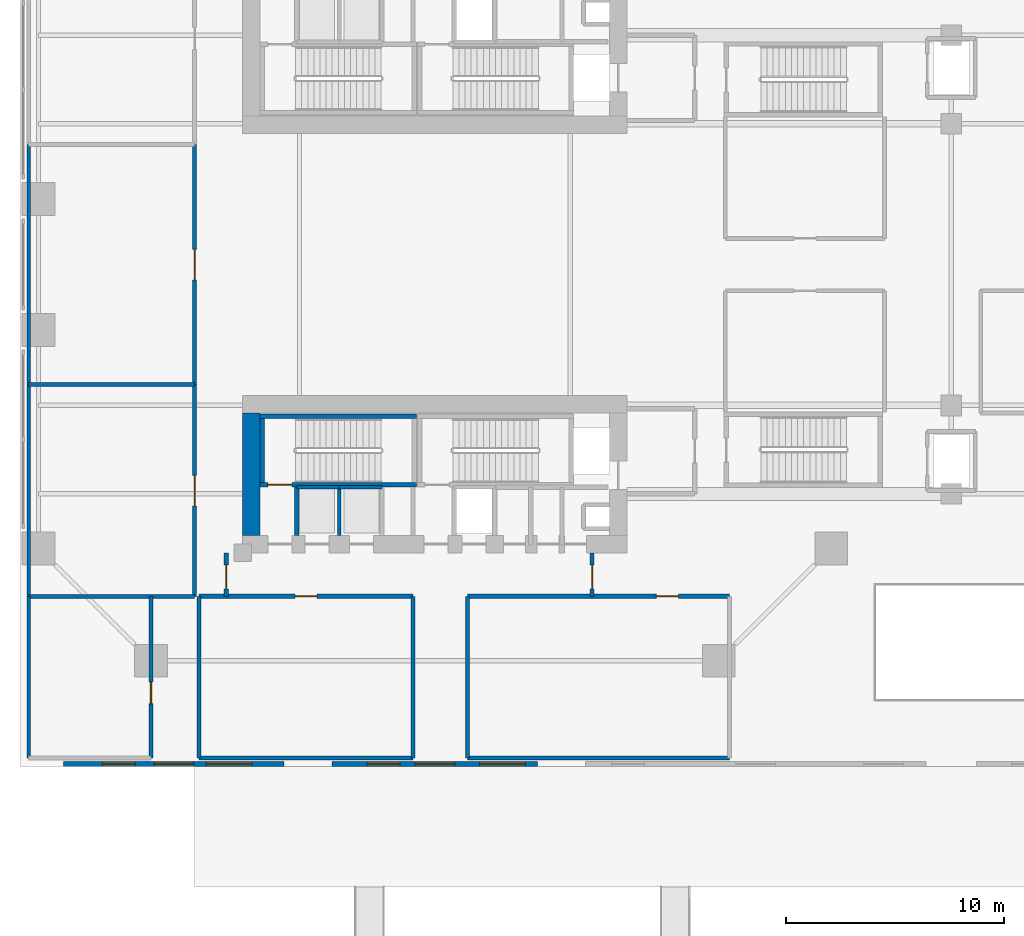
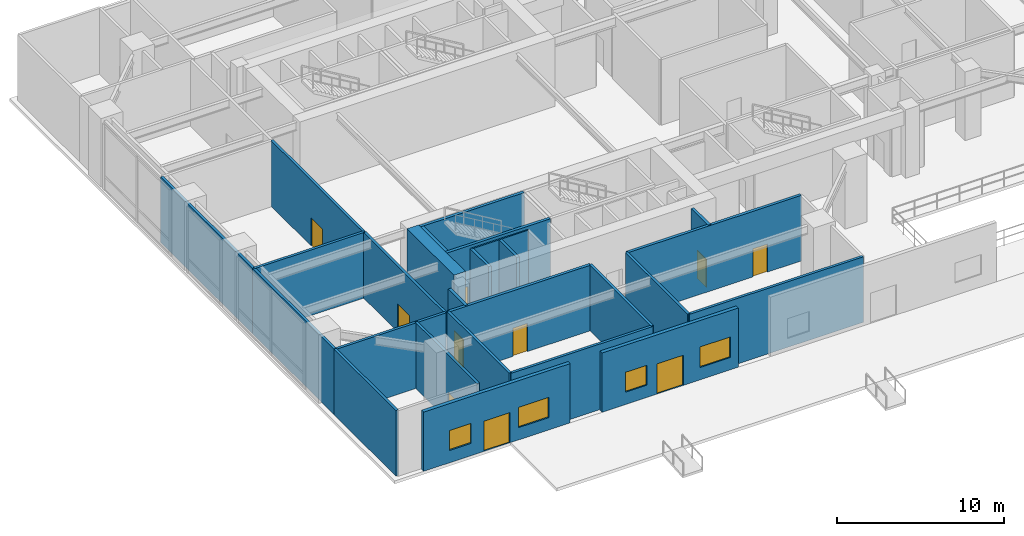
# One storey, part 7 of 18: 27 walls, 10 doors, 4 windows, 14 openings.
"""IFC4 building model written with IfcOpenShell, lengths in metres."""

from ifc_helpers import new_model, si_unit, direction, frame, frame_2d, origin, place, context, subcontext, project, spatial, rectangle, extrude, source, transform, mapped, material, layer, layer_set, type_object, element, fill, save


model = new_model("IFC4")

# Units and contexts
model_context = context("Model", 3, precision=1e-05, world=origin(), true_north=direction((0.0, 1.0)))
body_context = subcontext(model_context, "Body", "Model", "MODEL_VIEW")
ifc_project = project(units=[si_unit("LENGTHUNIT", "METRE"), si_unit("AREAUNIT", "SQUARE_METRE"), si_unit("VOLUMEUNIT", "CUBIC_METRE"), si_unit("PLANEANGLEUNIT", "RADIAN"), si_unit("MASSUNIT", "GRAM", prefix="KILO"), si_unit("THERMODYNAMICTEMPERATUREUNIT", "KELVIN"), si_unit("POWERUNIT", "WATT")], contexts=[model_context])

# Site, building, storey
site_placement = place(None, origin())
site = spatial("IfcSite", under=ifc_project, at=site_placement, CompositionType="ELEMENT")
building_placement = place(site_placement, origin())
building = spatial("IfcBuilding", under=site, at=building_placement, Name="Qiaomeng Ring Towers", CompositionType="ELEMENT")
storey_placement = place(building_placement, origin())
storey = spatial("IfcBuildingStorey", under=building, at=storey_placement, Name="L00", CompositionType="ELEMENT", Elevation=0.0)

# Wall, openings, door, windows
ifc_material_1 = material(Name="Precast concrete C40", Category="concrete")
ifc_layer_1 = layer(ifc_material_1, 0.25, Name="Precast concrete C40")
ifc_layer_set_1 = layer_set([ifc_layer_1], Name="Precast concrete C40")
wall_type_1 = type_object("IfcWallType", Name="ARC-WL-EW1", PredefinedType="STANDARD", material=ifc_layer_set_1)
wall_1_placement = place(storey_placement, frame((2.0, 0.125, 0.0), z_axis=(0.0, 0.0, 1.0), x_axis=(1.0, 0.0, 0.0)))
wall_1 = element("IfcWall", 1, at=wall_1_placement, inside=storey, type_object=wall_type_1, Name="L00 South Facade Wall S1", PredefinedType="STANDARD", context=body_context, shape_type="SweptSolid", body=[
    extrude(rectangle(XDim=10.10009765625, YDim=0.25, at=frame_2d((5.050048828125, 0.0))), origin(), (0.0, 0.0, 1.0), 4.320068359375),
])
opening_1_placement = place(wall_1_placement, frame((4.14990234375, 0.0, 0.0)))
opening_1 = element("IfcOpeningElement", 2, at=opening_1_placement, cuts=wall_1, Name="Opening ED1", PredefinedType="OPENING", context=body_context, shape_type="SweptSolid", body=[
    extrude(rectangle(XDim=1.800048828125, YDim=2.199951171875, at=frame_2d((0.89990234375, 1.10009765625))), frame((0.0, 0.135009765625, 0.0), z_axis=(0.0, -1.0, 0.0), x_axis=(1.0, 0.0, 0.0)), (0.0, 0.0, 1.0), 0.27001953125),
])
opening_2_placement = place(wall_1_placement, frame((1.77490234375, 0.0, 0.89990234375)))
opening_2 = element("IfcOpeningElement", 3, at=opening_2_placement, cuts=wall_1, Name="Opening WN2", PredefinedType="OPENING", context=body_context, shape_type="SweptSolid", body=[
    extrude(rectangle(XDim=1.5, YDim=1.449951171875, at=frame_2d((0.75, 0.72509765625))), frame((0.0, 0.135009765625, 0.0), z_axis=(0.0, -1.0, 0.0), x_axis=(1.0, 0.0, 0.0)), (0.0, 0.0, 1.0), 0.27001953125),
])
opening_3_placement = place(wall_1_placement, frame((6.52490234375, 0.0, 0.89990234375)))
opening_3 = element("IfcOpeningElement", 4, at=opening_3_placement, cuts=wall_1, Name="Opening WN4", PredefinedType="OPENING", context=body_context, shape_type="SweptSolid", body=[
    extrude(rectangle(XDim=2.10009765625, YDim=1.47998046875, at=frame_2d((1.050048828125, 0.739990234375))), frame((0.0, 0.135009765625, 0.0), z_axis=(0.0, -1.0, 0.0), x_axis=(1.0, 0.0, 0.0)), (0.0, 0.0, 1.0), 0.27001953125),
])
ifc_material_2 = material(Name="Fluorocarbon dark-grey aluminium", Category="aluminium")
door_type_1 = type_object("IfcDoorType", Name="ARC-DR-ED1", OperationType="NOTDEFINED", PredefinedType="DOOR", material=ifc_material_2)
shared_shape_1 = source(origin(), body_context, "Body", "SweptSolid", [
    extrude(rectangle(XDim=1.800048828125, YDim=2.199951171875, at=frame_2d((0.89990234375, 1.10009765625))), frame((0.0, 0.02490234375, 0.0), z_axis=(0.0, -1.0, 0.0), x_axis=(1.0, 0.0, 0.0)), (0.0, 0.0, 1.0), 0.050048828125),
])
door_1_placement = place(opening_1_placement, frame((1.800048828125, 0.0, 0.0), z_axis=(0.0, 0.0, 1.0), x_axis=(-1.0, 0.0, 0.0)))
door_1 = element("IfcDoor", 5, at=door_1_placement, inside=storey, type_object=door_type_1, Name="Ground Final Exit Double Door ED01", OperationType="DOUBLE_DOOR_SINGLE_SWING", OverallHeight=2.199951171875, OverallWidth=1.800048828125, PredefinedType="DOOR", context=body_context, shape_type="MappedRepresentation", body=[
    mapped(shared_shape_1, transform((0.0, 0.0, 0.0), x_axis=(1.0, 0.0, 0.0), y_axis=(0.0, 1.0, 0.0), z_axis=(0.0, 0.0, 1.0), scale=1.0)),
])
fill(opening_1, door_1)
ifc_material_3 = material(Name="Low-E dark-grey laminated double glazing", Category="glass")
window_type_1 = type_object("IfcWindowType", Name="ARC-WN-2", PartitioningType="DOUBLE_PANEL_VERTICAL", PredefinedType="WINDOW", material=ifc_material_3)
shared_shape_2 = source(origin(), body_context, "Body", "SweptSolid", [
    extrude(rectangle(XDim=1.5, YDim=1.449951171875, at=frame_2d((0.75, 0.72509765625))), frame((0.0, 0.030029296875, 0.0), z_axis=(0.0, -1.0, 0.0), x_axis=(1.0, 0.0, 0.0)), (0.0, 0.0, 1.0), 0.06005859375),
])
window_1_placement = place(opening_2_placement, origin())
window_1 = element("IfcWindow", 6, at=window_1_placement, inside=storey, type_object=window_type_1, Name="L00 Exterior Window WN2", OverallHeight=1.449951171875, OverallWidth=1.5, PartitioningType="DOUBLE_PANEL_VERTICAL", PredefinedType="WINDOW", context=body_context, shape_type="MappedRepresentation", body=[
    mapped(shared_shape_2, transform((0.0, 0.0, 0.0), x_axis=(1.0, 0.0, 0.0), y_axis=(0.0, 1.0, 0.0), z_axis=(0.0, 0.0, 1.0), scale=1.0)),
])
fill(opening_2, window_1)
window_type_2 = type_object("IfcWindowType", Name="ARC-WN-4", PartitioningType="TRIPLE_PANEL_VERTICAL", PredefinedType="WINDOW", material=ifc_material_3)
shared_shape_3 = source(origin(), body_context, "Body", "SweptSolid", [
    extrude(rectangle(XDim=2.10009765625, YDim=1.47998046875, at=frame_2d((1.050048828125, 0.739990234375))), frame((0.0, 0.030029296875, 0.0), z_axis=(0.0, -1.0, 0.0), x_axis=(1.0, 0.0, 0.0)), (0.0, 0.0, 1.0), 0.06005859375),
])
window_2_placement = place(opening_3_placement, origin())
window_2 = element("IfcWindow", 7, at=window_2_placement, inside=storey, type_object=window_type_2, Name="L00 Exterior Window WN4", OverallHeight=1.47998046875, OverallWidth=2.10009765625, PartitioningType="TRIPLE_PANEL_VERTICAL", PredefinedType="WINDOW", context=body_context, shape_type="MappedRepresentation", body=[
    mapped(shared_shape_3, transform((0.0, 0.0, 0.0), x_axis=(1.0, 0.0, 0.0), y_axis=(0.0, 1.0, 0.0), z_axis=(0.0, 0.0, 1.0), scale=1.0)),
])
fill(opening_3, window_2)

wall_2_placement = place(storey_placement, frame((14.300048828125, 0.125, 0.0), z_axis=(0.0, 0.0, 1.0), x_axis=(1.0, 0.0, 0.0)))
wall_2 = element("IfcWall", 8, at=wall_2_placement, inside=storey, type_object=wall_type_1, Name="L00 South Facade Wall S2", PredefinedType="STANDARD", context=body_context, shape_type="SweptSolid", body=[
    extrude(rectangle(XDim=9.39990234375, YDim=0.25, at=frame_2d((4.699951171875, 0.0))), origin(), (0.0, 0.0, 1.0), 4.320068359375),
])
opening_4_placement = place(wall_2_placement, frame((3.800048828125, 0.0, 0.0)))
opening_4 = element("IfcOpeningElement", 9, at=opening_4_placement, cuts=wall_2, Name="Opening ED1", PredefinedType="OPENING", context=body_context, shape_type="SweptSolid", body=[
    extrude(rectangle(XDim=1.800048828125, YDim=2.199951171875, at=frame_2d((0.89990234375, 1.10009765625))), frame((0.0, 0.135009765625, 0.0), z_axis=(0.0, -1.0, 0.0), x_axis=(1.0, 0.0, 0.0)), (0.0, 0.0, 1.0), 0.27001953125),
])
opening_5_placement = place(wall_2_placement, frame((1.60009765625, 0.0, 0.89990234375)))
opening_5 = element("IfcOpeningElement", 10, at=opening_5_placement, cuts=wall_2, Name="Opening WN2", PredefinedType="OPENING", context=body_context, shape_type="SweptSolid", body=[
    extrude(rectangle(XDim=1.5, YDim=1.449951171875, at=frame_2d((0.75, 0.72509765625))), frame((0.0, 0.135009765625, 0.0), z_axis=(0.0, -1.0, 0.0), x_axis=(1.0, 0.0, 0.0)), (0.0, 0.0, 1.0), 0.27001953125),
])
opening_6_placement = place(wall_2_placement, frame((6.75, 0.0, 0.89990234375)))
opening_6 = element("IfcOpeningElement", 11, at=opening_6_placement, cuts=wall_2, Name="Opening WN4", PredefinedType="OPENING", context=body_context, shape_type="SweptSolid", body=[
    extrude(rectangle(XDim=2.10009765625, YDim=1.5, at=frame_2d((1.050048828125, 0.75))), frame((0.0, 0.135009765625, 0.0), z_axis=(0.0, -1.0, 0.0), x_axis=(1.0, 0.0, 0.0)), (0.0, 0.0, 1.0), 0.27001953125),
])
door_2_placement = place(opening_4_placement, frame((1.800048828125, 0.0, 0.0), z_axis=(0.0, 0.0, 1.0), x_axis=(-1.0, 0.0, 0.0)))
door_2 = element("IfcDoor", 12, at=door_2_placement, inside=storey, type_object=door_type_1, Name="Ground Final Exit Double Door ED02", OperationType="DOUBLE_DOOR_SINGLE_SWING", OverallHeight=2.199951171875, OverallWidth=1.800048828125, PredefinedType="DOOR", context=body_context, shape_type="MappedRepresentation", body=[
    mapped(shared_shape_1, transform((0.0, 0.0, 0.0), x_axis=(1.0, 0.0, 0.0), y_axis=(0.0, 1.0, 0.0), z_axis=(0.0, 0.0, 1.0), scale=1.0)),
])
fill(opening_4, door_2)
window_3_placement = place(opening_5_placement, origin())
window_3 = element("IfcWindow", 13, at=window_3_placement, inside=storey, type_object=window_type_1, Name="L00 Exterior Window WN2", OverallHeight=1.449951171875, OverallWidth=1.5, PartitioningType="DOUBLE_PANEL_VERTICAL", PredefinedType="WINDOW", context=body_context, shape_type="MappedRepresentation", body=[
    mapped(shared_shape_2, transform((0.0, 0.0, 0.0), x_axis=(1.0, 0.0, 0.0), y_axis=(0.0, 1.0, 0.0), z_axis=(0.0, 0.0, 1.0), scale=1.0)),
])
fill(opening_5, window_3)
shared_shape_4 = source(origin(), body_context, "Body", "SweptSolid", [
    extrude(rectangle(XDim=2.10009765625, YDim=1.5, at=frame_2d((1.050048828125, 0.75))), frame((0.0, 0.030029296875, 0.0), z_axis=(0.0, -1.0, 0.0), x_axis=(1.0, 0.0, 0.0)), (0.0, 0.0, 1.0), 0.06005859375),
])
window_4_placement = place(opening_6_placement, origin())
window_4 = element("IfcWindow", 14, at=window_4_placement, inside=storey, type_object=window_type_2, Name="L00 Exterior Window WN4", OverallHeight=1.5, OverallWidth=2.10009765625, PartitioningType="TRIPLE_PANEL_VERTICAL", PredefinedType="WINDOW", context=body_context, shape_type="MappedRepresentation", body=[
    mapped(shared_shape_4, transform((0.0, 0.0, 0.0), x_axis=(1.0, 0.0, 0.0), y_axis=(0.0, 1.0, 0.0), z_axis=(0.0, 0.0, 1.0), scale=1.0)),
])
fill(opening_6, window_4)

# Wall
ifc_material_4 = material(Name="Autoclaved aerated concrete block", Category="concrete")
ifc_layer_2 = layer(ifc_material_4, 0.199951171875, Name="Autoclaved aerated concrete block")
ifc_layer_set_2 = layer_set([ifc_layer_2], Name="Autoclaved aerated concrete block")
wall_type_2 = type_object("IfcWallType", Name="ARC-WL-PW1", PredefinedType="PARTITIONING", material=ifc_layer_set_2)
wall_3_placement = place(storey_placement, frame((12.679931640625, 10.60009765625, 0.0), z_axis=(0.0, 0.0, 1.0), x_axis=(0.0, 1.0, 0.0)))
element("IfcWall", 15, at=wall_3_placement, inside=storey, type_object=wall_type_2, Name="L00 Interior Wall PW1", PredefinedType="PARTITIONING", context=body_context, shape_type="SweptSolid", body=[
    extrude(rectangle(XDim=2.2099609375, YDim=0.199951171875, at=frame_2d((1.10498046875, 0.0))), origin(), (0.0, 0.0, 1.0), 4.780029296875),
])

# Wall, opening, door
wall_4_placement = place(storey_placement, frame((9.449951171875, 7.800048828125, 0.0), z_axis=(0.0, 0.0, 1.0), x_axis=(0.0, 1.0, 0.0)))
wall_4 = element("IfcWall", 16, at=wall_4_placement, inside=storey, type_object=wall_type_2, Name="L00 Interior Wall PW1", PredefinedType="PARTITIONING", context=body_context, shape_type="SweptSolid", body=[
    extrude(rectangle(XDim=2.0, YDim=0.199951171875, at=frame_2d((1.0, 0.0))), origin(), (0.0, 0.0, 1.0), 4.780029296875),
])
opening_7_placement = place(wall_4_placement, frame((0.35009765625, 0.0, 0.0)))
opening_7 = element("IfcOpeningElement", 17, at=opening_7_placement, cuts=wall_4, Name="Opening FD3", PredefinedType="OPENING", context=body_context, shape_type="SweptSolid", body=[
    extrude(rectangle(XDim=1.10009765625, YDim=2.050048828125, at=frame_2d((0.550048828125, 1.02490234375))), frame((0.0, 0.10986328125, 0.0), z_axis=(0.0, -1.0, 0.0), x_axis=(1.0, 0.0, 0.0)), (0.0, 0.0, 1.0), 0.219970703125),
])
ifc_material_5 = material(Name="Galvanised steel", Category="steel")
door_type_2 = type_object("IfcDoorType", Name="ARC-DR-FD3", OperationType="NOTDEFINED", PredefinedType="DOOR", material=ifc_material_5)
shared_shape_5 = source(origin(), body_context, "Body", "SweptSolid", [
    extrude(rectangle(XDim=1.10009765625, YDim=2.050048828125, at=frame_2d((0.550048828125, 1.02490234375))), frame((0.0, 0.02490234375, 0.0), z_axis=(0.0, -1.0, 0.0), x_axis=(1.0, 0.0, 0.0)), (0.0, 0.0, 1.0), 0.050048828125),
])
door_3_placement = place(opening_7_placement, origin())
door_3 = element("IfcDoor", 18, at=door_3_placement, inside=storey, type_object=door_type_2, Name="L00 Door FD3", OperationType="SINGLE_SWING_RIGHT", OverallHeight=2.050048828125, OverallWidth=1.10009765625, PredefinedType="DOOR", context=body_context, shape_type="MappedRepresentation", body=[
    mapped(shared_shape_5, transform((0.0, 0.0, 0.0), x_axis=(1.0, 0.0, 0.0), y_axis=(0.0, 1.0, 0.0), z_axis=(0.0, 0.0, 1.0), scale=1.0)),
])
fill(opening_7, door_3)

wall_5_placement = place(storey_placement, frame((26.199951171875, 7.800048828125, 0.0), z_axis=(0.0, 0.0, 1.0), x_axis=(0.0, 1.0, 0.0)))
wall_5 = element("IfcWall", 19, at=wall_5_placement, inside=storey, type_object=wall_type_2, Name="L00 Interior Wall PW1", PredefinedType="PARTITIONING", context=body_context, shape_type="SweptSolid", body=[
    extrude(rectangle(XDim=2.0, YDim=0.199951171875, at=frame_2d((1.0, 0.0))), origin(), (0.0, 0.0, 1.0), 4.780029296875),
])
opening_8_placement = place(wall_5_placement, frame((0.35009765625, 0.0, 0.0)))
opening_8 = element("IfcOpeningElement", 20, at=opening_8_placement, cuts=wall_5, Name="Opening FD3", PredefinedType="OPENING", context=body_context, shape_type="SweptSolid", body=[
    extrude(rectangle(XDim=1.10009765625, YDim=2.050048828125, at=frame_2d((0.550048828125, 1.02490234375))), frame((0.0, 0.10986328125, 0.0), z_axis=(0.0, -1.0, 0.0), x_axis=(1.0, 0.0, 0.0)), (0.0, 0.0, 1.0), 0.219970703125),
])
door_4_placement = place(opening_8_placement, origin())
door_4 = element("IfcDoor", 21, at=door_4_placement, inside=storey, type_object=door_type_2, Name="L00 Door FD3", OperationType="SINGLE_SWING_LEFT", OverallHeight=2.050048828125, OverallWidth=1.10009765625, PredefinedType="DOOR", context=body_context, shape_type="MappedRepresentation", body=[
    mapped(shared_shape_5, transform((0.0, 0.0, 0.0), x_axis=(1.0, 0.0, 0.0), y_axis=(0.0, 1.0, 0.0), z_axis=(0.0, 0.0, 1.0), scale=1.0)),
])
fill(opening_8, door_4)

wall_6_placement = place(storey_placement, frame((8.199951171875, 7.800048828125, 0.0), z_axis=(0.0, 0.0, 1.0), x_axis=(1.0, 0.0, 0.0)))
wall_6 = element("IfcWall", 22, at=wall_6_placement, inside=storey, type_object=wall_type_2, Name="L00 Interior Wall PW1", PredefinedType="PARTITIONING", context=body_context, shape_type="SweptSolid", body=[
    extrude(rectangle(XDim=9.800048828125, YDim=0.199951171875, at=frame_2d((4.89990234375, 0.0))), origin(), (0.0, 0.0, 1.0), 4.780029296875),
])
opening_9_placement = place(wall_6_placement, frame((4.39990234375, 0.0, 0.0)))
opening_9 = element("IfcOpeningElement", 23, at=opening_9_placement, cuts=wall_6, Name="Opening FD4", PredefinedType="OPENING", context=body_context, shape_type="SweptSolid", body=[
    extrude(rectangle(XDim=1.0, YDim=2.050048828125, at=frame_2d((0.5, 1.02490234375))), frame((0.0, 0.10986328125, 0.0), z_axis=(0.0, -1.0, 0.0), x_axis=(1.0, 0.0, 0.0)), (0.0, 0.0, 1.0), 0.219970703125),
])
ifc_material_6 = material(Name="Engineered fire-rated oak timber", Category="wood")
door_type_3 = type_object("IfcDoorType", Name="ARC-DR-FD4", OperationType="NOTDEFINED", PredefinedType="DOOR", material=ifc_material_6)
shared_shape_6 = source(origin(), body_context, "Body", "SweptSolid", [
    extrude(rectangle(XDim=1.0, YDim=2.050048828125, at=frame_2d((0.5, 1.02490234375))), frame((0.0, 0.02490234375, 0.0), z_axis=(0.0, -1.0, 0.0), x_axis=(1.0, 0.0, 0.0)), (0.0, 0.0, 1.0), 0.050048828125),
])
door_5_placement = place(opening_9_placement, origin())
door_5 = element("IfcDoor", 24, at=door_5_placement, inside=storey, type_object=door_type_3, Name="L00 Outpatient Consultation Room 1 Door", OperationType="SINGLE_SWING_LEFT", OverallHeight=2.050048828125, OverallWidth=1.0, PredefinedType="DOOR", context=body_context, shape_type="MappedRepresentation", body=[
    mapped(shared_shape_6, transform((0.0, 0.0, 0.0), x_axis=(1.0, 0.0, 0.0), y_axis=(0.0, 1.0, 0.0), z_axis=(0.0, 0.0, 1.0), scale=1.0)),
])
fill(opening_9, door_5)

wall_7_placement = place(storey_placement, frame((20.5, 7.800048828125, 0.0), z_axis=(0.0, 0.0, 1.0), x_axis=(1.0, 0.0, 0.0)))
wall_7 = element("IfcWall", 25, at=wall_7_placement, inside=storey, type_object=wall_type_2, Name="L00 Interior Wall PW1", PredefinedType="PARTITIONING", context=body_context, shape_type="SweptSolid", body=[
    extrude(rectangle(XDim=12.0, YDim=0.199951171875, at=frame_2d((6.0, 0.0))), origin(), (0.0, 0.0, 1.0), 4.780029296875),
])
opening_10_placement = place(wall_7_placement, frame((8.64990234375, 0.0, 0.0)))
opening_10 = element("IfcOpeningElement", 26, at=opening_10_placement, cuts=wall_7, Name="Opening FD4", PredefinedType="OPENING", context=body_context, shape_type="SweptSolid", body=[
    extrude(rectangle(XDim=1.0, YDim=2.050048828125, at=frame_2d((0.5, 1.02490234375))), frame((0.0, 0.10986328125, 0.0), z_axis=(0.0, -1.0, 0.0), x_axis=(1.0, 0.0, 0.0)), (0.0, 0.0, 1.0), 0.219970703125),
])
door_6_placement = place(opening_10_placement, origin())
door_6 = element("IfcDoor", 27, at=door_6_placement, inside=storey, type_object=door_type_3, Name="L00 Urgent Triage Treatment Room Door", OperationType="SINGLE_SWING_RIGHT", OverallHeight=2.050048828125, OverallWidth=1.0, PredefinedType="DOOR", context=body_context, shape_type="MappedRepresentation", body=[
    mapped(shared_shape_6, transform((0.0, 0.0, 0.0), x_axis=(1.0, 0.0, 0.0), y_axis=(0.0, 1.0, 0.0), z_axis=(0.0, 0.0, 1.0), scale=1.0)),
])
fill(opening_10, door_6)

# Walls
ifc_layer_3 = layer(ifc_material_4, 0.179931640625, Name="Autoclaved aerated concrete block")
ifc_layer_set_3 = layer_set([ifc_layer_3], Name="Autoclaved aerated concrete block")
wall_type_3 = type_object("IfcWallType", Name="ARC-WL-PW2", PredefinedType="PARTITIONING", material=ifc_layer_set_3)
wall_8_placement = place(storey_placement, frame((0.39990234375, 7.800048828125, 0.0), z_axis=(0.0, 0.0, 1.0), x_axis=(1.0, 0.0, 0.0)))
element("IfcWall", 28, at=wall_8_placement, inside=storey, type_object=wall_type_3, Name="L00 Interior Wall PW2", PredefinedType="PARTITIONING", context=body_context, shape_type="SweptSolid", body=[
    extrude(rectangle(XDim=7.60009765625, YDim=0.179931640625, at=frame_2d((3.800048828125, 0.0))), origin(), (0.0, 0.0, 1.0), 4.780029296875),
])
wall_9_placement = place(storey_placement, frame((0.39990234375, 0.39990234375, 0.0), z_axis=(0.0, 0.0, 1.0), x_axis=(0.0, 1.0, 0.0)))
element("IfcWall", 29, at=wall_9_placement, inside=storey, type_object=wall_type_3, Name="L00 Interior Wall PW2", PredefinedType="PARTITIONING", context=body_context, shape_type="SweptSolid", body=[
    extrude(rectangle(XDim=7.400146484375, YDim=0.179931640625, at=frame_2d((3.7001953125, 0.0))), origin(), (0.0, 0.0, 1.0), 4.780029296875),
])

# Wall, opening, door
wall_10_placement = place(storey_placement, frame((6.0, 0.39990234375, 0.0), z_axis=(0.0, 0.0, 1.0), x_axis=(0.0, 1.0, 0.0)))
wall_10 = element("IfcWall", 30, at=wall_10_placement, inside=storey, type_object=wall_type_3, Name="L00 Interior Wall PW2", PredefinedType="PARTITIONING", context=body_context, shape_type="SweptSolid", body=[
    extrude(rectangle(XDim=7.400146484375, YDim=0.179931640625, at=frame_2d((3.7001953125, 0.0))), origin(), (0.0, 0.0, 1.0), 4.780029296875),
])
opening_11_placement = place(wall_10_placement, frame((2.488037109375, 0.0, 0.0)))
opening_11 = element("IfcOpeningElement", 31, at=opening_11_placement, cuts=wall_10, Name="Opening FD1", PredefinedType="OPENING", context=body_context, shape_type="SweptSolid", body=[
    extrude(rectangle(XDim=1.0, YDim=2.050048828125, at=frame_2d((0.5, 1.02490234375))), frame((0.0, 0.099853515625, 0.0), z_axis=(0.0, -1.0, 0.0), x_axis=(1.0, 0.0, 0.0)), (0.0, 0.0, 1.0), 0.199951171875),
])
door_type_4 = type_object("IfcDoorType", Name="ARC-DR-FD1", OperationType="NOTDEFINED", PredefinedType="DOOR", material=ifc_material_5)
door_7_placement = place(opening_11_placement, origin())
door_7 = element("IfcDoor", 32, at=door_7_placement, inside=storey, type_object=door_type_4, Name="L00 Fire Command Centre Door", OperationType="SINGLE_SWING_RIGHT", OverallHeight=2.050048828125, OverallWidth=1.0, PredefinedType="DOOR", context=body_context, shape_type="MappedRepresentation", body=[
    mapped(shared_shape_6, transform((0.0, 0.0, 0.0), x_axis=(1.0, 0.0, 0.0), y_axis=(0.0, 1.0, 0.0), z_axis=(0.0, 0.0, 1.0), scale=1.0)),
])
fill(opening_11, door_7)

# Walls
wall_11_placement = place(storey_placement, frame((0.39990234375, 17.5, 0.0), z_axis=(0.0, 0.0, 1.0), x_axis=(1.0, 0.0, 0.0)))
element("IfcWall", 33, at=wall_11_placement, inside=storey, type_object=wall_type_3, Name="L00 Interior Wall PW2", PredefinedType="PARTITIONING", context=body_context, shape_type="SweptSolid", body=[
    extrude(rectangle(XDim=7.60009765625, YDim=0.179931640625, at=frame_2d((3.800048828125, 0.0))), origin(), (0.0, 0.0, 1.0), 4.780029296875),
])
wall_12_placement = place(storey_placement, frame((0.39990234375, 7.800048828125, 0.0), z_axis=(0.0, 0.0, 1.0), x_axis=(0.0, 1.0, 0.0)))
element("IfcWall", 34, at=wall_12_placement, inside=storey, type_object=wall_type_3, Name="L00 Interior Wall PW2", PredefinedType="PARTITIONING", context=body_context, shape_type="SweptSolid", body=[
    extrude(rectangle(XDim=9.699951171875, YDim=0.179931640625, at=frame_2d((4.85009765625, 0.0))), origin(), (0.0, 0.0, 1.0), 4.780029296875),
])

# Wall, opening, door
wall_13_placement = place(storey_placement, frame((8.0, 7.800048828125, 0.0), z_axis=(0.0, 0.0, 1.0), x_axis=(0.0, 1.0, 0.0)))
wall_13 = element("IfcWall", 35, at=wall_13_placement, inside=storey, type_object=wall_type_3, Name="L00 Interior Wall PW2", PredefinedType="PARTITIONING", context=body_context, shape_type="SweptSolid", body=[
    extrude(rectangle(XDim=9.699951171875, YDim=0.179931640625, at=frame_2d((4.85009765625, 0.0))), origin(), (0.0, 0.0, 1.0), 4.780029296875),
])
opening_12_placement = place(wall_13_placement, frame((4.14990234375, 0.0, 0.0)))
opening_12 = element("IfcOpeningElement", 36, at=opening_12_placement, cuts=wall_13, Name="Opening FD5", PredefinedType="OPENING", context=body_context, shape_type="SweptSolid", body=[
    extrude(rectangle(XDim=1.39990234375, YDim=2.050048828125, at=frame_2d((0.699951171875, 1.02490234375))), frame((0.0, 0.099853515625, 0.0), z_axis=(0.0, -1.0, 0.0), x_axis=(1.0, 0.0, 0.0)), (0.0, 0.0, 1.0), 0.199951171875),
])
door_type_5 = type_object("IfcDoorType", Name="ARC-DR-FD5", OperationType="NOTDEFINED", PredefinedType="DOOR", material=ifc_material_5)
shared_shape_7 = source(origin(), body_context, "Body", "SweptSolid", [
    extrude(rectangle(XDim=1.39990234375, YDim=2.050048828125, at=frame_2d((0.699951171875, 1.02490234375))), frame((0.0, 0.02490234375, 0.0), z_axis=(0.0, -1.0, 0.0), x_axis=(1.0, 0.0, 0.0)), (0.0, 0.0, 1.0), 0.050048828125),
])
door_8_placement = place(opening_12_placement, origin())
door_8 = element("IfcDoor", 37, at=door_8_placement, inside=storey, type_object=door_type_5, Name="L00 Tower 1 South Reception Office Door", OperationType="SINGLE_SWING_LEFT", OverallHeight=2.050048828125, OverallWidth=1.39990234375, PredefinedType="DOOR", context=body_context, shape_type="MappedRepresentation", body=[
    mapped(shared_shape_7, transform((0.0, 0.0, 0.0), x_axis=(1.0, 0.0, 0.0), y_axis=(0.0, 1.0, 0.0), z_axis=(0.0, 0.0, 1.0), scale=1.0)),
])
fill(opening_12, door_8)

# Wall
wall_14_placement = place(storey_placement, frame((0.39990234375, 17.5, 0.0), z_axis=(0.0, 0.0, 1.0), x_axis=(0.0, 1.0, 0.0)))
element("IfcWall", 38, at=wall_14_placement, inside=storey, type_object=wall_type_3, Name="L00 Interior Wall PW2", PredefinedType="PARTITIONING", context=body_context, shape_type="SweptSolid", body=[
    extrude(rectangle(XDim=11.0, YDim=0.179931640625, at=frame_2d((5.5, 0.0))), origin(), (0.0, 0.0, 1.0), 4.780029296875),
])

# Wall, opening, door
wall_15_placement = place(storey_placement, frame((8.0, 17.5, 0.0), z_axis=(0.0, 0.0, 1.0), x_axis=(0.0, 1.0, 0.0)))
wall_15 = element("IfcWall", 39, at=wall_15_placement, inside=storey, type_object=wall_type_3, Name="L00 Interior Wall PW2", PredefinedType="PARTITIONING", context=body_context, shape_type="SweptSolid", body=[
    extrude(rectangle(XDim=11.0, YDim=0.179931640625, at=frame_2d((5.5, 0.0))), origin(), (0.0, 0.0, 1.0), 4.780029296875),
])
opening_13_placement = place(wall_15_placement, frame((4.800048828125, 0.0, 0.0)))
opening_13 = element("IfcOpeningElement", 40, at=opening_13_placement, cuts=wall_15, Name="Opening FD5", PredefinedType="OPENING", context=body_context, shape_type="SweptSolid", body=[
    extrude(rectangle(XDim=1.39990234375, YDim=2.050048828125, at=frame_2d((0.699951171875, 1.02490234375))), frame((0.0, 0.099853515625, 0.0), z_axis=(0.0, -1.0, 0.0), x_axis=(1.0, 0.0, 0.0)), (0.0, 0.0, 1.0), 0.199951171875),
])
door_9_placement = place(opening_13_placement, origin())
door_9 = element("IfcDoor", 41, at=door_9_placement, inside=storey, type_object=door_type_5, Name="L00 Clinic Main Registration Suite Door", OperationType="SINGLE_SWING_RIGHT", OverallHeight=2.050048828125, OverallWidth=1.39990234375, PredefinedType="DOOR", context=body_context, shape_type="MappedRepresentation", body=[
    mapped(shared_shape_7, transform((0.0, 0.0, 0.0), x_axis=(1.0, 0.0, 0.0), y_axis=(0.0, 1.0, 0.0), z_axis=(0.0, 0.0, 1.0), scale=1.0)),
])
fill(opening_13, door_9)

# Walls
wall_16_placement = place(storey_placement, frame((8.199951171875, 0.39990234375, 0.0), z_axis=(0.0, 0.0, 1.0), x_axis=(1.0, 0.0, 0.0)))
element("IfcWall", 42, at=wall_16_placement, inside=storey, type_object=wall_type_3, Name="L00 Interior Wall PW2", PredefinedType="PARTITIONING", context=body_context, shape_type="SweptSolid", body=[
    extrude(rectangle(XDim=9.800048828125, YDim=0.179931640625, at=frame_2d((4.89990234375, 0.0))), origin(), (0.0, 0.0, 1.0), 4.780029296875),
])
for number, where, z_axis, x_axis, name in (
    (43, (8.199951171875, 0.39990234375, 0.0), (0.0, 0.0, 1.0), (0.0, 1.0, 0.0), "L00 Interior Wall PW2"),
    (44, (18.0, 0.39990234375, 0.0), (0.0, 0.0, 1.0), (0.0, 1.0, 0.0), "L00 Interior Wall PW2"),
):
    element("IfcWall", number, at=place(storey_placement, frame(where, z_axis=z_axis, x_axis=x_axis)), inside=storey, type_object=wall_type_3, Name=name, PredefinedType="PARTITIONING", context=body_context, shape_type="SweptSolid", body=[
        extrude(rectangle(XDim=7.400146484375, YDim=0.179931640625, at=frame_2d((3.7001953125, 0.0))), origin(), (0.0, 0.0, 1.0), 4.780029296875),
    ])
wall_17_placement = place(storey_placement, frame((20.5, 0.39990234375, 0.0), z_axis=(0.0, 0.0, 1.0), x_axis=(1.0, 0.0, 0.0)))
element("IfcWall", 45, at=wall_17_placement, inside=storey, type_object=wall_type_3, Name="L00 Interior Wall PW2", PredefinedType="PARTITIONING", context=body_context, shape_type="SweptSolid", body=[
    extrude(rectangle(XDim=12.0, YDim=0.179931640625, at=frame_2d((6.0, 0.0))), origin(), (0.0, 0.0, 1.0), 4.780029296875),
])
wall_18_placement = place(storey_placement, frame((20.5, 0.39990234375, 0.0), z_axis=(0.0, 0.0, 1.0), x_axis=(0.0, 1.0, 0.0)))
element("IfcWall", 46, at=wall_18_placement, inside=storey, type_object=wall_type_3, Name="L00 Interior Wall PW2", PredefinedType="PARTITIONING", context=body_context, shape_type="SweptSolid", body=[
    extrude(rectangle(XDim=7.400146484375, YDim=0.179931640625, at=frame_2d((3.7001953125, 0.0))), origin(), (0.0, 0.0, 1.0), 4.780029296875),
])
ifc_material_7 = material(Name="Concrete C40", Category="concrete")
ifc_layer_4 = layer(ifc_material_7, 0.199951171875, Name="Concrete C40")
ifc_layer_set_4 = layer_set([ifc_layer_4], Name="Concrete C40")
wall_type_4 = type_object("IfcWallType", Name="STR-WL-STSHAFT", PredefinedType="SHEAR", material=ifc_layer_set_4)
wall_19_placement = place(storey_placement, frame((12.679931640625, 12.800048828125, 0.0), z_axis=(0.0, 0.0, 1.0), x_axis=(1.0, 0.0, 0.0)))
element("IfcWall", 47, at=wall_19_placement, inside=storey, type_object=wall_type_4, Name="L00 Lift LP6 Shaft Back Wall", PredefinedType="SHEAR", context=body_context, shape_type="SweptSolid", body=[
    extrude(rectangle(XDim=1.940185546875, YDim=0.179931640625, at=frame_2d((0.97021484375, 0.0))), origin(), (0.0, 0.0, 1.0), 4.780029296875),
])
wall_20_placement = place(storey_placement, frame((14.6201171875, 10.60009765625, 0.0), z_axis=(0.0, 0.0, 1.0), x_axis=(0.0, 1.0, 0.0)))
element("IfcWall", 48, at=wall_20_placement, inside=storey, type_object=wall_type_4, Name="L00 Lift LP6-LP4 Shaft Divider Wall", PredefinedType="SHEAR", context=body_context, shape_type="SweptSolid", body=[
    extrude(rectangle(XDim=2.199951171875, YDim=0.179931640625, at=frame_2d((1.10009765625, 0.0))), origin(), (0.0, 0.0, 1.0), 4.780029296875),
])
wall_21_placement = place(storey_placement, frame((14.6201171875, 12.800048828125, 0.0), z_axis=(0.0, 0.0, 1.0), x_axis=(1.0, 0.0, 0.0)))
element("IfcWall", 49, at=wall_21_placement, inside=storey, type_object=wall_type_4, Name="L00 Lift LP4 Shaft Back Wall", PredefinedType="SHEAR", context=body_context, shape_type="SweptSolid", body=[
    extrude(rectangle(XDim=1.9599609375, YDim=0.179931640625, at=frame_2d((0.97998046875, 0.0))), origin(), (0.0, 0.0, 1.0), 4.780029296875),
])

# Wall, opening, door
wall_22_placement = place(storey_placement, frame((11.0, 12.909912109375, 0.0), z_axis=(0.0, 0.0, 1.0), x_axis=(1.0, 0.0, 0.0)))
wall_22 = element("IfcWall", 50, at=wall_22_placement, inside=storey, type_object=wall_type_4, Name="L00 Stair ST3 South Shaft Shear Wall", PredefinedType="SHEAR", context=body_context, shape_type="SweptSolid", body=[
    extrude(rectangle(XDim=7.14990234375, YDim=0.199951171875, at=frame_2d((3.574951171875, 0.0))), origin(), (0.0, 0.0, 1.0), 5.0),
])
opening_14_placement = place(wall_22_placement, frame((0.35009765625, 0.0, 0.0)))
opening_14 = element("IfcOpeningElement", 51, at=opening_14_placement, cuts=wall_22, Name="Opening FD3", PredefinedType="OPENING", context=body_context, shape_type="SweptSolid", body=[
    extrude(rectangle(XDim=1.10009765625, YDim=2.050048828125, at=frame_2d((0.550048828125, 1.02490234375))), frame((0.0, 0.10986328125, 0.0), z_axis=(0.0, -1.0, 0.0), x_axis=(1.0, 0.0, 0.0)), (0.0, 0.0, 1.0), 0.219970703125),
])
door_10_placement = place(opening_14_placement, frame((1.10009765625, 0.0, 0.0), z_axis=(0.0, 0.0, 1.0), x_axis=(-1.0, 0.0, 0.0)))
door_10 = element("IfcDoor", 52, at=door_10_placement, inside=storey, type_object=door_type_2, Name="L00 Stair ST3 Exit Door", OperationType="SINGLE_SWING_RIGHT", OverallHeight=2.050048828125, OverallWidth=1.10009765625, PredefinedType="DOOR", context=body_context, shape_type="MappedRepresentation", body=[
    mapped(shared_shape_5, transform((0.0, 0.0, 0.0), x_axis=(1.0, 0.0, 0.0), y_axis=(0.0, 1.0, 0.0), z_axis=(0.0, 0.0, 1.0), scale=1.0)),
])
fill(opening_14, door_10)

# Walls
wall_23_placement = place(storey_placement, frame((11.0, 16.050048828125, 0.0), z_axis=(0.0, 0.0, 1.0), x_axis=(1.0, 0.0, 0.0)))
element("IfcWall", 53, at=wall_23_placement, inside=storey, type_object=wall_type_4, Name="L00 Stair ST3 North Shaft Shear Wall", PredefinedType="SHEAR", context=body_context, shape_type="SweptSolid", body=[
    extrude(rectangle(XDim=7.14990234375, YDim=0.199951171875, at=frame_2d((3.574951171875, 0.0))), origin(), (0.0, 0.0, 1.0), 5.0),
])
wall_24_placement = place(storey_placement, frame((11.10009765625, 13.010009765625, 0.0), z_axis=(0.0, 0.0, 1.0), x_axis=(0.0, 1.0, 0.0)))
element("IfcWall", 54, at=wall_24_placement, inside=storey, type_object=wall_type_4, Name="L00 Stair ST3 West Shaft Shear Wall", PredefinedType="SHEAR", context=body_context, shape_type="SweptSolid", body=[
    extrude(rectangle(XDim=2.93994140625, YDim=0.199951171875, at=frame_2d((1.469970703125, 0.0))), origin(), (0.0, 0.0, 1.0), 5.0),
])
ifc_material_8 = material(Name="Concrete C60", Category="concrete")
ifc_layer_5 = layer(ifc_material_8, 0.800048828125, Name="Concrete C60")
ifc_layer_set_5 = layer_set([ifc_layer_5], Name="Concrete C60")
wall_type_5 = type_object("IfcWallType", Name="STR-WL-SW1", PredefinedType="SHEAR", material=ifc_layer_set_5)
wall_25_placement = place(storey_placement, frame((10.60009765625, 10.60009765625, 0.0), z_axis=(0.0, 0.0, 1.0), x_axis=(0.0, 1.0, 0.0)))
element("IfcWall", 55, at=wall_25_placement, inside=storey, type_object=wall_type_5, Name="L00 T1SC west core shear wall", PredefinedType="SHEAR", context=body_context, shape_type="SweptSolid", body=[
    extrude(rectangle(XDim=5.599853515625, YDim=0.800048828125, at=frame_2d((2.7998046875, 0.0))), origin(), (0.0, 0.0, 1.0), 5.0),
])

save(model, "model.ifc")
